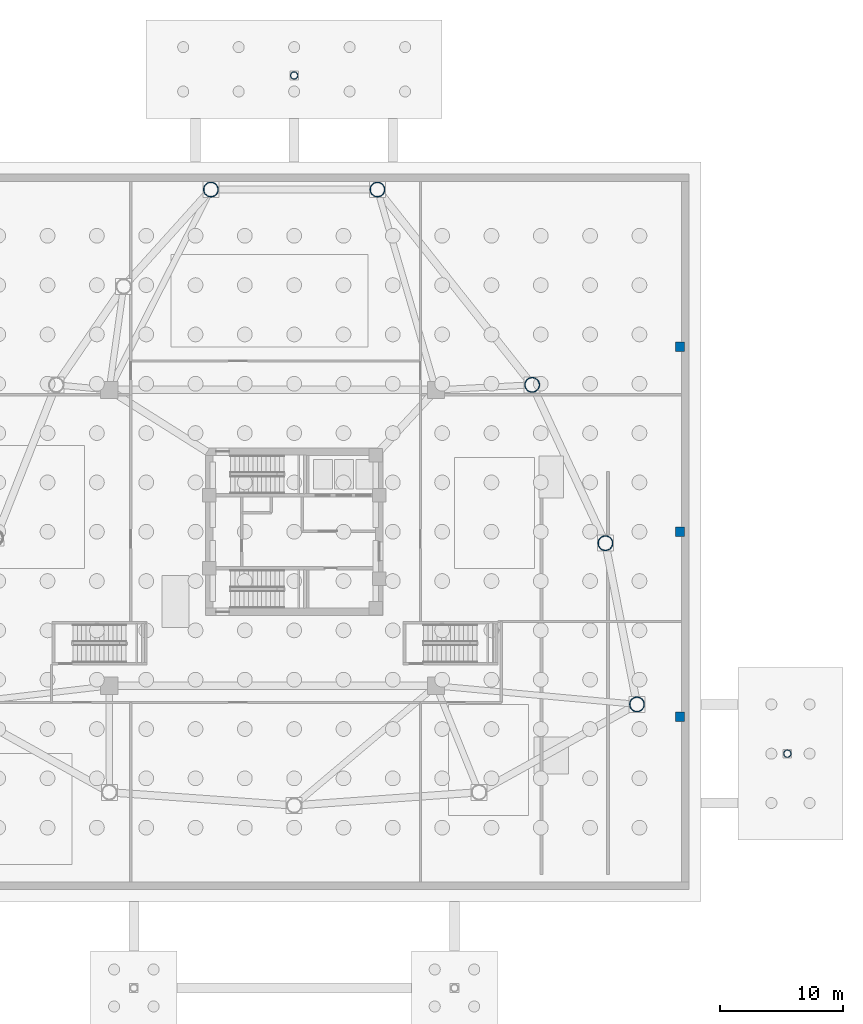
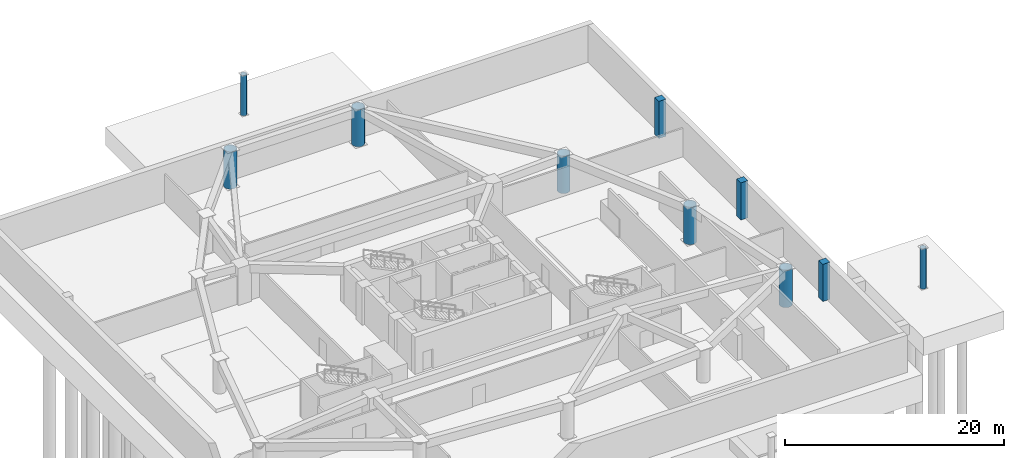
# One storey, part 4 of 11: 10 columns.
"""IFC4 building model written with IfcOpenShell, lengths in metres."""

from ifc_helpers import new_model, si_unit, direction, frame, origin, origin_2d, place, context, subcontext, project, spatial, rectangle, hollow_circle, extrude, material, material_profile, profile_set, type_object, element, save


model = new_model("IFC4")

# Units and contexts
model_context = context("Model", 3, precision=1e-05, world=origin(), true_north=direction((0.0, 1.0)))
body_context = subcontext(model_context, "Body", "Model", "MODEL_VIEW")
ifc_project = project(units=[si_unit("LENGTHUNIT", "METRE"), si_unit("AREAUNIT", "SQUARE_METRE"), si_unit("VOLUMEUNIT", "CUBIC_METRE"), si_unit("PLANEANGLEUNIT", "RADIAN"), si_unit("MASSUNIT", "GRAM", prefix="KILO")], contexts=[model_context])

# Site, building, storey
site_placement = place(None, origin())
site = spatial("IfcSite", under=ifc_project, at=site_placement, CompositionType="ELEMENT")
building_placement = place(site_placement, origin())
building = spatial("IfcBuilding", under=site, at=building_placement, Name="Tavelor Broadcast Tower", CompositionType="ELEMENT")
storey_placement = place(building_placement, frame((0.0, 0.0, -8.699951171875)))
storey = spatial("IfcBuildingStorey", under=building, at=storey_placement, Name="B02", CompositionType="ELEMENT", Elevation=-8.699951171875)

# Columns
ifc_material_1 = material(Name="Concrete C40/50", Category="concrete")
ifc_material_profile_1 = material_profile(ifc_material_1, rectangle(XDim=0.75, YDim=0.75, at=origin_2d()), Name="RC 750x750")
ifc_profile_set_1 = profile_set([ifc_material_profile_1], Name="Concrete C40/50")
column_type_1 = type_object("IfcColumnType", Name="Basement Retaining Pilaster RC750", PredefinedType="PILASTER", material=ifc_profile_set_1)
for number, where, z_axis, x_axis, name in (
    (1, (81.300048828125, 30.0, 0.0), (0.0, 0.0, 1.0), (1.0, 0.0, 0.0), "B02 Retaining Wall Pilaster 4"),
    (2, (81.300048828125, 45.0, 0.0), (0.0, 0.0, 1.0), (1.0, 0.0, 0.0), "B02 Retaining Wall Pilaster 5"),
    (3, (81.300048828125, 60.0, 0.0), (0.0, 0.0, 1.0), (1.0, 0.0, 0.0), "B02 Retaining Wall Pilaster 6"),
):
    element("IfcColumn", number, at=place(storey_placement, frame(where, z_axis=z_axis, x_axis=x_axis)), inside=storey, type_object=column_type_1, Name=name, PredefinedType="PILASTER", context=body_context, shape_type="SweptSolid", body=[
        extrude(rectangle(XDim=0.75, YDim=0.75, at=origin_2d()), origin(), (0.0, 0.0, 1.0), 4.14990234375),
    ])
ifc_material_2 = material(Name="Steel S355", Category="steel")
ifc_material_profile_2 = material_profile(ifc_material_2, hollow_circle(Radius=0.304931640625, WallThickness=0.028076171875, at=origin_2d()), Name="CHS 610x28")
ifc_profile_set_2 = profile_set([ifc_material_profile_2], Name="Steel S355")
column_type_2 = type_object("IfcColumnType", Name="Plaza Canopy Mega Column CHS610", PredefinedType="COLUMN", material=ifc_profile_set_2)
for number, where, z_axis, x_axis, name in (
    (4, (50.0, 82.0, 0.0), (0.0, 0.0, 1.0), (1.0, 0.0, 0.0), "B02 Entrance Portal Foundation Column 1"),
    (5, (90.0, 27.0, 0.0), (0.0, 0.0, 1.0), (1.0, 0.0, 0.0), "B02 Entrance Portal Foundation Column 3"),
):
    element("IfcColumn", number, at=place(storey_placement, frame(where, z_axis=z_axis, x_axis=x_axis)), inside=storey, type_object=column_type_2, Name=name, PredefinedType="COLUMN", context=body_context, shape_type="SweptSolid", body=[
        extrude(hollow_circle(Radius=0.304931640625, WallThickness=0.028076171875, at=origin_2d()), origin(), (0.0, 0.0, 1.0), 4.5),
    ])
ifc_material_3 = material(Name="Steel S460", Category="steel")
ifc_material_profile_3 = material_profile(ifc_material_3, hollow_circle(Radius=0.609619140625, WallThickness=0.050048828125, at=origin_2d()), Name="CHS 1219x50")
ifc_profile_set_3 = profile_set([ifc_material_profile_3], Name="Steel S460")
column_type_3 = type_object("IfcColumnType", Name="Podium Perimeter Mega Column CHS1219", PredefinedType="COLUMN", material=ifc_profile_set_3)
for number, where, z_axis, x_axis, name in (
    (6, (43.247314453125, 72.7509765625, 0.0), (0.0, 0.0, 1.0), (1.0, 0.0, 0.0), "B02 Outer Mega Column 1"),
    (7, (77.800048828125, 31.0, 0.0), (0.0, 0.0, 1.0), (1.0, 0.0, 0.0), "B02 Outer Mega Column 9"),
    (8, (75.2412109375, 44.070068359375, 0.0), (0.0, 0.0, 1.0), (1.0, 0.0, 0.0), "B02 Outer Mega Column 10"),
    (9, (69.30078125, 56.9111328125, 0.0), (0.0, 0.0, 1.0), (1.0, 0.0, 0.0), "B02 Outer Mega Column 11"),
    (10, (56.752685546875, 72.7509765625, 0.0), (0.0, 0.0, 1.0), (1.0, 0.0, 0.0), "B02 Outer Mega Column 12"),
):
    element("IfcColumn", number, at=place(storey_placement, frame(where, z_axis=z_axis, x_axis=x_axis)), inside=storey, type_object=column_type_3, Name=name, PredefinedType="COLUMN", context=body_context, shape_type="SweptSolid", body=[
        extrude(hollow_circle(Radius=0.609619140625, WallThickness=0.050048828125, at=origin_2d()), origin(), (0.0, 0.0, 1.0), 4.14990234375),
    ])

save(model, "model.ifc")
